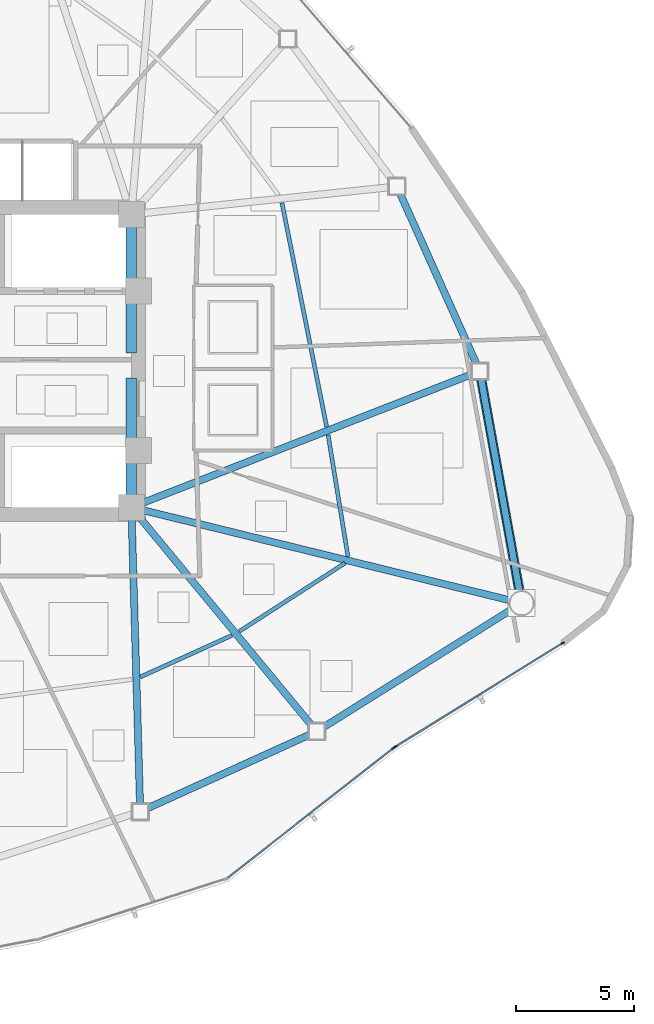
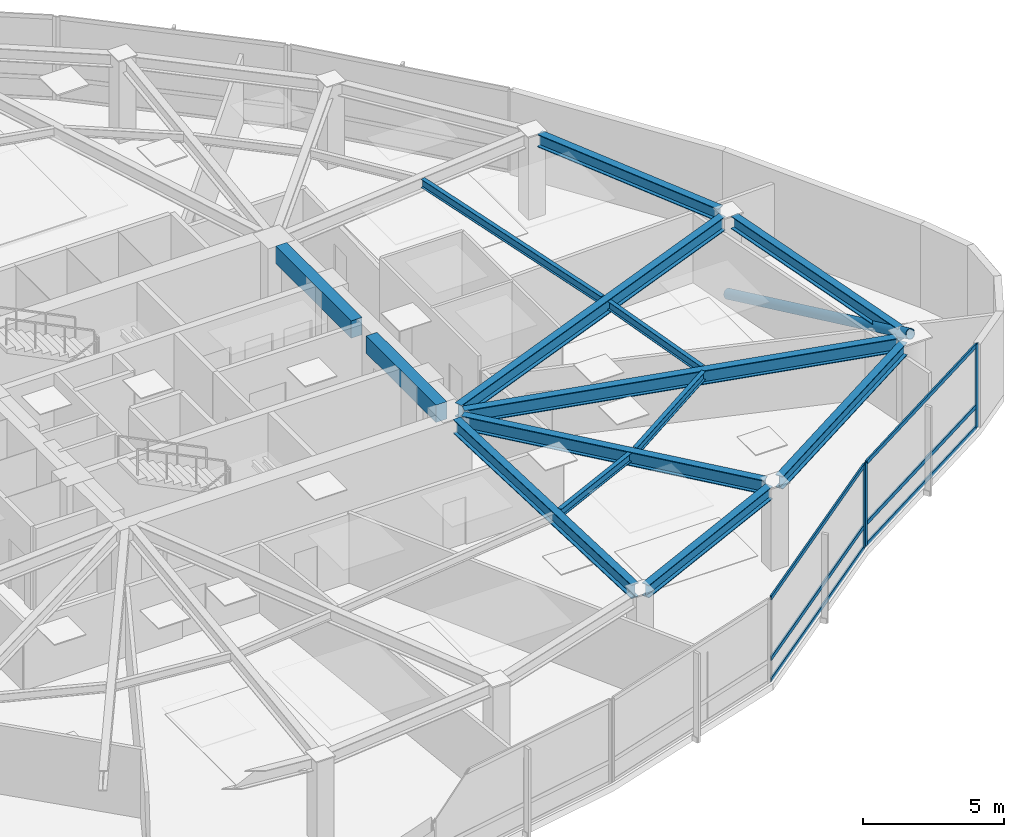
# One storey, part 6 of 17: 14 beams, 10 members, 2 elements without a shape of their own.
"""IFC4 building model written with IfcOpenShell, lengths in metres."""

from ifc_helpers import new_model, si_unit, direction, frame, origin, origin_2d, place, context, subcontext, project, spatial, rectangle, hollow_rectangle, hollow_circle, i_section, extrude, source, transform, mapped, material, layer, layer_set, material_profile, profile_set, type_object, type_shapes, element, aggregate, save


model = new_model("IFC4")

# Units and contexts
model_context = context("Model", 3, precision=1e-05, world=origin(), true_north=direction((0.0, 1.0)))
body_context = subcontext(model_context, "Body", "Model", "MODEL_VIEW")
ifc_project = project(units=[si_unit("LENGTHUNIT", "METRE"), si_unit("AREAUNIT", "SQUARE_METRE"), si_unit("VOLUMEUNIT", "CUBIC_METRE"), si_unit("PLANEANGLEUNIT", "RADIAN"), si_unit("MASSUNIT", "GRAM", prefix="KILO")], contexts=[model_context])

# Site, building, storey
site_placement = place(None, origin())
site = spatial("IfcSite", under=ifc_project, at=site_placement, CompositionType="ELEMENT")
building_placement = place(site_placement, origin())
building = spatial("IfcBuilding", under=site, at=building_placement, Name="Tavelor Broadcast Tower", CompositionType="ELEMENT")
storey_placement = place(building_placement, frame((0.0, 0.0, 86.10009765625)))
storey = spatial("IfcBuildingStorey", under=building, at=storey_placement, Name="L20", CompositionType="ELEMENT", Elevation=86.10009765625)

# Beams
ifc_material_1 = material(Name="Concrete C40/50", Category="concrete")
ifc_material_profile_1 = material_profile(ifc_material_1, rectangle(XDim=0.449951171875, YDim=0.75, at=origin_2d()), Name="RC 450x750")
ifc_profile_set_1 = profile_set([ifc_material_profile_1], Name="Concrete C40/50")
beam_type_1 = type_object("IfcBeamType", Name="Basement Core Trim Beam 450x750", PredefinedType="BEAM", material=ifc_profile_set_1)
beam_1_placement = place(storey_placement, frame((56.60009765625, 45.327880859375, 3.224853515625), z_axis=(0.0, 1.0, 0.0), x_axis=(-1.0, 0.0, 0.0)))
element("IfcBeam", 1, at=beam_1_placement, inside=storey, type_object=beam_type_1, Name="L20 Core East-N Tie Girder", PredefinedType="BEAM", context=body_context, shape_type="SweptSolid", body=[
    extrude(rectangle(XDim=0.449951171875, YDim=0.75, at=origin_2d()), origin(), (0.0, 0.0, 1.0), 5.34423828125),
])
beam_2_placement = place(storey_placement, frame((56.60009765625, 39.327880859375, 3.224853515625), z_axis=(0.0, 1.0, 0.0), x_axis=(-1.0, 0.0, 0.0)))
element("IfcBeam", 2, at=beam_2_placement, inside=storey, type_object=beam_type_1, Name="L20 Core East-S Tie Girder", PredefinedType="BEAM", context=body_context, shape_type="SweptSolid", body=[
    extrude(rectangle(XDim=0.449951171875, YDim=0.75, at=origin_2d()), origin(), (0.0, 0.0, 1.0), 4.944091796875),
])
ifc_material_2 = material(Name="Steel S355", Category="steel")
ifc_material_profile_2 = material_profile(ifc_material_2, i_section(OverallWidth=0.169921875, OverallDepth=0.360107421875, WebThickness=0.008056640625, FlangeThickness=0.0126953125, at=origin_2d()), Name="IPE 360")
ifc_profile_set_2 = profile_set([ifc_material_profile_2], Name="Steel S355")
beam_type_2 = type_object("IfcBeamType", Name="Composite Floor Joist T2 IPE 360", PredefinedType="JOIST", material=ifc_profile_set_2)
beam_3_placement = place(storey_placement, frame((56.976318359375, 31.61865234375, 3.419921875), z_axis=(0.910576347723, 0.413340918573, 0.0), x_axis=(-0.413340918573, 0.910576347723, 0.0)))
element("IfcBeam", 3, at=beam_3_placement, inside=storey, type_object=beam_type_2, Name="L20 Secondary Composite Floor Joist 11", PredefinedType="JOIST", context=body_context, shape_type="SweptSolid", body=[
    extrude(i_section(OverallWidth=0.169921875, OverallDepth=0.360107421875, WebThickness=0.008056640625, FlangeThickness=0.0126953125, at=origin_2d()), origin(), (0.0, 0.0, 1.0), 4.26025390625),
])
beam_4_placement = place(storey_placement, frame((61.172607421875, 33.552490234375, 3.419921875), z_axis=(0.839830816691, 0.542848228639, 0.0), x_axis=(-0.542848228639, 0.839830816691, 0.0)))
element("IfcBeam", 4, at=beam_4_placement, inside=storey, type_object=beam_type_2, Name="L20 Secondary Composite Floor Joist 12", PredefinedType="JOIST", context=body_context, shape_type="SweptSolid", body=[
    extrude(i_section(OverallWidth=0.169921875, OverallDepth=0.360107421875, WebThickness=0.008056640625, FlangeThickness=0.0126953125, at=origin_2d()), origin(), (0.0, 0.0, 1.0), 5.325439453125),
])
beam_5_placement = place(storey_placement, frame((65.767822265625, 36.72021484375, 3.419921875), z_axis=(-0.161277112784, 0.986909161419, 0.0), x_axis=(-0.986909161419, -0.161277112784, 0.0)))
element("IfcBeam", 5, at=beam_5_placement, inside=storey, type_object=beam_type_2, Name="L20 Secondary Composite Floor Joist 13", PredefinedType="JOIST", context=body_context, shape_type="SweptSolid", body=[
    extrude(i_section(OverallWidth=0.169921875, OverallDepth=0.360107421875, WebThickness=0.008056640625, FlangeThickness=0.0126953125, at=origin_2d()), origin(), (0.0, 0.0, 1.0), 5.213623046875),
])
beam_6_placement = place(storey_placement, frame((64.8623046875, 42.2216796875, 3.419921875), z_axis=(-0.195581157194, 0.980687519524, 0.0), x_axis=(-0.980687519524, -0.195581157194, 0.0)))
element("IfcBeam", 6, at=beam_6_placement, inside=storey, type_object=beam_type_2, Name="L20 Secondary Composite Floor Joist 14", PredefinedType="JOIST", context=body_context, shape_type="SweptSolid", body=[
    extrude(i_section(OverallWidth=0.169921875, OverallDepth=0.360107421875, WebThickness=0.008056640625, FlangeThickness=0.0126953125, at=origin_2d()), origin(), (0.0, 0.0, 1.0), 9.654296875),
])
ifc_material_profile_3 = material_profile(ifc_material_2, i_section(OverallWidth=0.300048828125, OverallDepth=0.550048828125, WebThickness=0.014892578125, FlangeThickness=0.029052734375, at=origin_2d()), Name="HEB 550")
ifc_profile_set_3 = profile_set([ifc_material_profile_3], Name="Steel S355")
beam_type_3 = type_object("IfcBeamType", Name="Perimeter Spandrel Beam T2 HEB 550", PredefinedType="SPANDREL", material=ifc_profile_set_3)
beam_7_placement = place(storey_placement, frame((57.28125, 26.060546875, 3.324951171875), z_axis=(0.910420869291, 0.413683261395, 0.0), x_axis=(-0.413683261395, 0.910420869291, 0.0)))
element("IfcBeam", 7, at=beam_7_placement, inside=storey, type_object=beam_type_3, Name="L20 Framed-Tube Ring Spandrel 11", PredefinedType="SPANDREL", context=body_context, shape_type="SweptSolid", body=[
    extrude(i_section(OverallWidth=0.300048828125, OverallDepth=0.550048828125, WebThickness=0.014892578125, FlangeThickness=0.029052734375, at=origin_2d()), origin(), (0.0, 0.0, 1.0), 7.531005859375),
])
beam_8_placement = place(storey_placement, frame((64.728271484375, 29.493408203125, 3.324951171875), z_axis=(0.847666386228, 0.530529638813, 0.0), x_axis=(-0.530529638813, 0.847666386228, 0.0)))
element("IfcBeam", 8, at=beam_8_placement, inside=storey, type_object=beam_type_3, Name="L20 Framed-Tube Ring Spandrel 12", PredefinedType="SPANDREL", context=body_context, shape_type="SweptSolid", body=[
    extrude(i_section(OverallWidth=0.300048828125, OverallDepth=0.550048828125, WebThickness=0.014892578125, FlangeThickness=0.029052734375, at=origin_2d()), origin(), (0.0, 0.0, 1.0), 9.385009765625),
])
beam_9_placement = place(storey_placement, frame((73.02685546875, 35.248046875, 3.324951171875), z_axis=(-0.177746542691, 0.984076301189, 0.0), x_axis=(-0.984076301189, -0.177746542691, 0.0)))
element("IfcBeam", 9, at=beam_9_placement, inside=storey, type_object=beam_type_3, Name="L20 Framed-Tube Ring Spandrel 13", PredefinedType="SPANDREL", context=body_context, shape_type="SweptSolid", body=[
    extrude(i_section(OverallWidth=0.300048828125, OverallDepth=0.550048828125, WebThickness=0.014892578125, FlangeThickness=0.029052734375, at=origin_2d()), origin(), (0.0, 0.0, 1.0), 9.13134765625),
])
beam_10_placement = place(storey_placement, frame((71.206787109375, 44.87109375, 3.324951171875), z_axis=(-0.408951132019, 0.912556284084, 0.0), x_axis=(-0.912556284084, -0.408951132019, 0.0)))
element("IfcBeam", 10, at=beam_10_placement, inside=storey, type_object=beam_type_3, Name="L20 Framed-Tube Ring Spandrel 14", PredefinedType="SPANDREL", context=body_context, shape_type="SweptSolid", body=[
    extrude(i_section(OverallWidth=0.300048828125, OverallDepth=0.550048828125, WebThickness=0.014892578125, FlangeThickness=0.029052734375, at=origin_2d()), origin(), (0.0, 0.0, 1.0), 7.895263671875),
])

# Member
ifc_material_profile_4 = material_profile(ifc_material_2, hollow_circle(Radius=0.203125, WallThickness=0.02001953125, at=origin_2d()), Name="CHS 406.4x20")
ifc_profile_set_4 = profile_set([ifc_material_profile_4], Name="Steel S355")
member_type_1 = type_object("IfcMemberType", Name="Perimeter Tube Brace T2 CHS 406.4x20", PredefinedType="BRACE", material=ifc_profile_set_4)
member_1_placement = place(storey_placement, frame((71.343994140625, 44.564697265625, 0.0), z_axis=(0.167207286332, -0.925692306634, 0.339316190059), x_axis=(0.984075144607, 0.177752945874, 0.0)))
element("IfcMember", 11, at=member_1_placement, inside=storey, type_object=member_type_1, Name="L20 Corner Tube Diagonal Brace 3", PredefinedType="BRACE", context=body_context, shape_type="SweptSolid", body=[
    extrude(hollow_circle(Radius=0.203125, WallThickness=0.02001953125, at=origin_2d()), origin(), (0.0, 0.0, 1.0), 10.609130859375),
])

# Beams
ifc_material_profile_5 = material_profile(ifc_material_2, i_section(OverallWidth=0.300048828125, OverallDepth=0.60009765625, WebThickness=0.015380859375, FlangeThickness=0.030029296875, at=origin_2d()), Name="HEB 600")
ifc_profile_set_5 = profile_set([ifc_material_profile_5], Name="Steel S355")
beam_type_4 = type_object("IfcBeamType", Name="Radial Floor Girder T2 HEB 600", PredefinedType="BEAM", material=ifc_profile_set_5)
beam_11_placement = place(storey_placement, frame((56.615478515625, 38.272216796875, 3.2998046875), z_axis=(0.029126279866, -0.999575739912, 0.0), x_axis=(0.999575739912, 0.029126279866, 0.0)))
element("IfcBeam", 12, at=beam_11_placement, inside=storey, type_object=beam_type_4, Name="L20 Radial Primary Floor Girder 11", PredefinedType="BEAM", context=body_context, shape_type="SweptSolid", body=[
    extrude(i_section(OverallWidth=0.300048828125, OverallDepth=0.60009765625, WebThickness=0.015380859375, FlangeThickness=0.030029296875, at=origin_2d()), origin(), (0.0, 0.0, 1.0), 12.02001953125),
])
beam_12_placement = place(storey_placement, frame((56.9365234375, 38.39306640625, 3.2998046875), z_axis=(0.637277760564, -0.770634190709, 0.0), x_axis=(0.770634190709, 0.637277760564, 0.0)))
element("IfcBeam", 13, at=beam_12_placement, inside=storey, type_object=beam_type_4, Name="L20 Radial Primary Floor Girder 12", PredefinedType="BEAM", context=body_context, shape_type="SweptSolid", body=[
    extrude(i_section(OverallWidth=0.300048828125, OverallDepth=0.60009765625, WebThickness=0.015380859375, FlangeThickness=0.030029296875, at=origin_2d()), origin(), (0.0, 0.0, 1.0), 11.44384765625),
])
beam_13_placement = place(storey_placement, frame((57.11279296875, 38.674072265625, 3.2998046875), z_axis=(0.971151145926, -0.238464780979, 0.0), x_axis=(0.238464780979, 0.971151145926, 0.0)))
element("IfcBeam", 14, at=beam_13_placement, inside=storey, type_object=beam_type_4, Name="L20 Radial Primary Floor Girder 13", PredefinedType="BEAM", context=body_context, shape_type="SweptSolid", body=[
    extrude(i_section(OverallWidth=0.300048828125, OverallDepth=0.60009765625, WebThickness=0.015380859375, FlangeThickness=0.030029296875, at=origin_2d()), origin(), (0.0, 0.0, 1.0), 15.96826171875),
])
beam_14_placement = place(storey_placement, frame((57.091796875, 38.9921875, 3.2998046875), z_axis=(0.931341899941, 0.36414593972, 0.0), x_axis=(-0.36414593972, 0.931341899941, 0.0)))
element("IfcBeam", 15, at=beam_14_placement, inside=storey, type_object=beam_type_4, Name="L20 Radial Primary Floor Girder 14", PredefinedType="BEAM", context=body_context, shape_type="SweptSolid", body=[
    extrude(i_section(OverallWidth=0.300048828125, OverallDepth=0.60009765625, WebThickness=0.015380859375, FlangeThickness=0.030029296875, at=origin_2d()), origin(), (0.0, 0.0, 1.0), 14.967041015625),
])

# Curtain wall, member
ifc_material_3 = material(Name="Architectural Anodized Aluminium", Category="aluminium")
ifc_layer = layer(ifc_material_3, 0.179931640625)
ifc_layer_set = layer_set([ifc_layer], Name="Architectural Anodized Aluminium")
curtain_wall_type = type_object("IfcCurtainWallType", Name="Tower Low-Zone Unitised Curtain Wall CW02", PredefinedType="NOTDEFINED", material=ifc_layer_set)
curtain_wall_1_placement = place(storey_placement, origin())
curtain_wall_1 = element("IfcCurtainWall", 16, at=curtain_wall_1_placement, inside=storey, type_object=curtain_wall_type, Name="L20 Curtain Wall CW02 Run 199", PredefinedType="NOTDEFINED")
ifc_material_profile_6 = material_profile(ifc_material_3, hollow_rectangle(XDim=0.06494140625, YDim=0.179931640625, WallThickness=0.02197265625, at=origin_2d()), Name="RHS 65x180x22")
ifc_profile_set_6 = profile_set([ifc_material_profile_6], Name="Architectural Anodized Aluminium")
member_type_2 = type_object("IfcMemberType", Name="CW02 Extruded Aluminium Mullion 65x180", PredefinedType="MULLION", material=ifc_profile_set_6)
shared_shape_1 = source(origin(), body_context, "Body", "SweptSolid", [
    extrude(hollow_rectangle(XDim=0.06494140625, YDim=0.179931640625, WallThickness=0.02197265625, at=origin_2d()), origin(), (0.0, 0.0, 1.0), 3.599853515625),
])
type_shapes(member_type_2, [shared_shape_1])
member_2_placement = place(storey_placement, frame((67.694091796875, 28.60986328125, 0.0), z_axis=(0.0, 0.0, 1.0), x_axis=(-0.616576649978, 0.787294884209, 0.0)))
member_2 = element("IfcMember", 17, at=member_2_placement, type_object=member_type_2, Name="CW02 mullion 2", PredefinedType="MULLION", context=body_context, shape_type="MappedRepresentation", body=[
    mapped(shared_shape_1, transform((0.0, 0.0, 0.0), scale=1.0)),
])

# Curtain wall, members
curtain_wall_2_placement = place(storey_placement, origin())
curtain_wall_2 = element("IfcCurtainWall", 18, at=curtain_wall_2_placement, inside=storey, type_object=curtain_wall_type, Name="L20 Curtain Wall CW02 Run 200", PredefinedType="NOTDEFINED")
member_3_placement = place(storey_placement, frame((67.771728515625, 28.664306640625, 0.0), z_axis=(0.0, 0.0, 1.0), x_axis=(-0.526587031468, 0.850121225643, 0.0)))
member_3 = element("IfcMember", 19, at=member_3_placement, type_object=member_type_2, Name="CW02 mullion 1", PredefinedType="MULLION", context=body_context, shape_type="MappedRepresentation", body=[
    mapped(shared_shape_1, transform((0.0, 0.0, 0.0), scale=1.0)),
])
member_4_placement = place(storey_placement, frame((74.84326171875, 33.04443359375, 0.0), z_axis=(0.0, 0.0, 1.0), x_axis=(-0.526587031468, 0.850121225643, 0.0)))
member_4 = element("IfcMember", 20, at=member_4_placement, type_object=member_type_2, Name="CW02 mullion 2", PredefinedType="MULLION", context=body_context, shape_type="MappedRepresentation", body=[
    mapped(shared_shape_1, transform((0.0, 0.0, 0.0), scale=1.0)),
])
ifc_material_profile_7 = material_profile(ifc_material_3, hollow_rectangle(XDim=0.06494140625, YDim=0.179931640625, WallThickness=0.02197265625, at=origin_2d()), Name="RHS 65x180x22")
ifc_profile_set_7 = profile_set([ifc_material_profile_7], Name="Architectural Anodized Aluminium")
member_type_3 = type_object("IfcMemberType", Name="CW02 Extruded Aluminium Transom 65x180", PredefinedType="USERDEFINED", material=ifc_profile_set_7)
shared_shape_2 = source(origin(), body_context, "Body", "SweptSolid", [
    extrude(hollow_rectangle(XDim=0.06494140625, YDim=0.179931640625, WallThickness=0.02197265625, at=origin_2d()), origin(), (0.0, 0.0, 1.0), 8.2529296875),
])
member_5_placement = place(storey_placement, frame((67.799560546875, 28.681396484375, 0.032470703125), z_axis=(0.850113804077, 0.526599012645, 0.0), x_axis=(-0.526599012645, 0.850113804077, 0.0)))
member_5 = element("IfcMember", 21, at=member_5_placement, type_object=member_type_3, Name="CW02 transom 1.1", ObjectType="TRANSOM", PredefinedType="USERDEFINED", context=body_context, shape_type="MappedRepresentation", body=[
    mapped(shared_shape_2, transform((0.0, 0.0, 0.0), scale=1.0)),
])
member_6_placement = place(storey_placement, frame((67.799560546875, 28.681396484375, 0.949951171875), z_axis=(0.850113804077, 0.526599012645, 0.0), x_axis=(-0.526599012645, 0.850113804077, 0.0)))
member_6 = element("IfcMember", 22, at=member_6_placement, type_object=member_type_3, Name="CW02 transom 1.2", ObjectType="TRANSOM", PredefinedType="USERDEFINED", context=body_context, shape_type="MappedRepresentation", body=[
    mapped(shared_shape_2, transform((0.0, 0.0, 0.0), scale=1.0)),
])
member_7_placement = place(storey_placement, frame((67.799560546875, 28.681396484375, 3.5673828125), z_axis=(0.850113804077, 0.526599012645, 0.0), x_axis=(-0.526599012645, 0.850113804077, 0.0)))
member_7 = element("IfcMember", 23, at=member_7_placement, type_object=member_type_3, Name="CW02 transom 1.3", ObjectType="TRANSOM", PredefinedType="USERDEFINED", context=body_context, shape_type="MappedRepresentation", body=[
    mapped(shared_shape_2, transform((0.0, 0.0, 0.0), scale=1.0)),
])
aggregate(curtain_wall_2, [member_3, member_4, member_5, member_6, member_7])

# Member
shared_shape_3 = source(origin(), body_context, "Body", "SweptSolid", [
    extrude(hollow_rectangle(XDim=0.06494140625, YDim=0.179931640625, WallThickness=0.02197265625, at=origin_2d()), origin(), (0.0, 0.0, 1.0), 8.84033203125),
])
type_shapes(member_type_3, [shared_shape_2, shared_shape_3])
member_8_placement = place(storey_placement, frame((60.70849609375, 23.13916015625, 0.032470703125), z_axis=(0.787298656761, 0.616571832849, 0.0), x_axis=(-0.616571832849, 0.787298656761, 0.0)))
member_8 = element("IfcMember", 24, at=member_8_placement, type_object=member_type_3, Name="CW02 transom 1.1", ObjectType="TRANSOM", PredefinedType="USERDEFINED", context=body_context, shape_type="MappedRepresentation", body=[
    mapped(shared_shape_3, transform((0.0, 0.0, 0.0), scale=1.0)),
])

member_9_placement = place(storey_placement, frame((60.70849609375, 23.13916015625, 0.949951171875), z_axis=(0.787298656761, 0.616571832849, 0.0), x_axis=(-0.616571832849, 0.787298656761, 0.0)))
member_9 = element("IfcMember", 25, at=member_9_placement, type_object=member_type_3, Name="CW02 transom 1.2", ObjectType="TRANSOM", PredefinedType="USERDEFINED", context=body_context, shape_type="MappedRepresentation", body=[
    mapped(shared_shape_3, transform((0.0, 0.0, 0.0), scale=1.0)),
])

member_10_placement = place(storey_placement, frame((60.70849609375, 23.13916015625, 3.5673828125), z_axis=(0.787298656761, 0.616571832849, 0.0), x_axis=(-0.616571832849, 0.787298656761, 0.0)))
member_10 = element("IfcMember", 26, at=member_10_placement, type_object=member_type_3, Name="CW02 transom 1.3", ObjectType="TRANSOM", PredefinedType="USERDEFINED", context=body_context, shape_type="MappedRepresentation", body=[
    mapped(shared_shape_3, transform((0.0, 0.0, 0.0), scale=1.0)),
])

aggregate(curtain_wall_1, [member_2, member_8, member_9, member_10])

save(model, "model.ifc")
